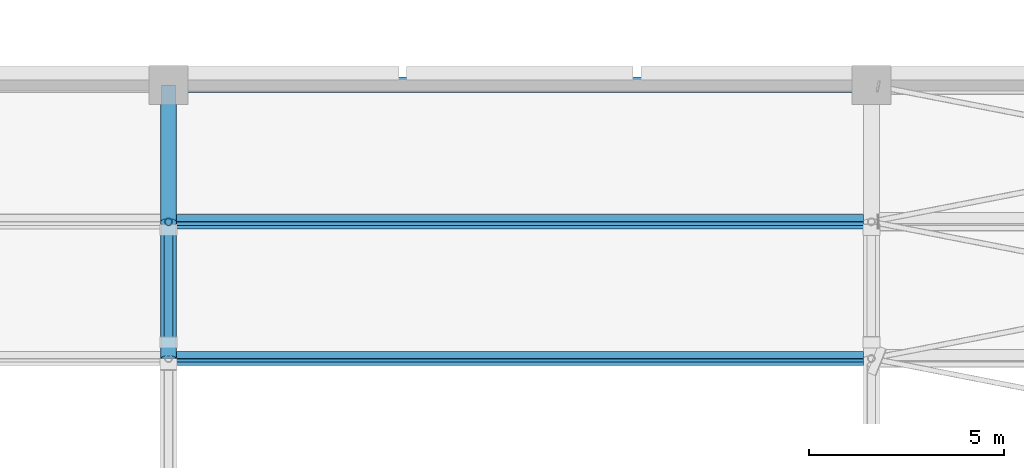
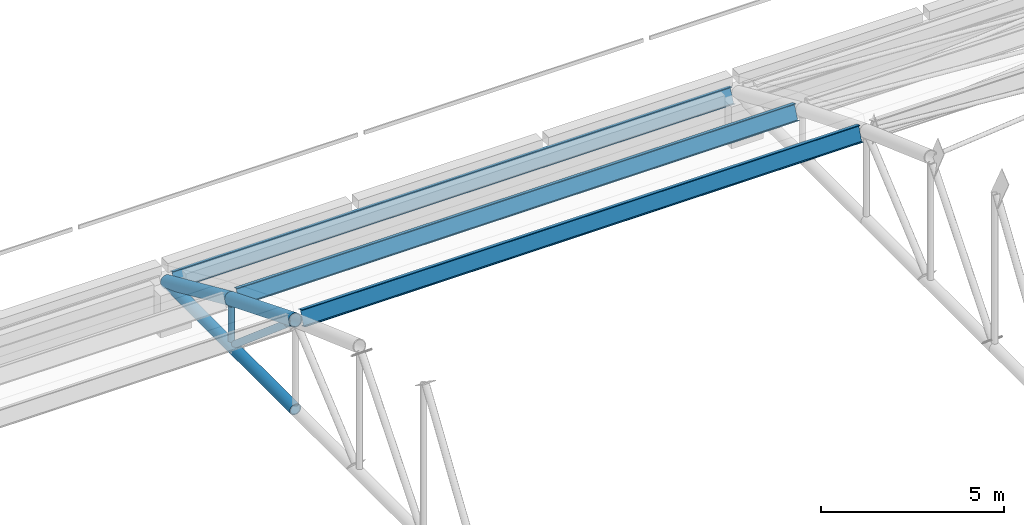
# One storey, part 81 of 196: 8 members.
"""IFC4 building model written with IfcOpenShell, lengths in metres."""

from ifc_helpers import new_model, si_unit, direction, frame, origin, origin_2d, place, context, subcontext, project, spatial, hollow_circle, i_section, extrude, material, material_profile, profile_set, type_object, element, save


model = new_model("IFC4")

# Units and contexts
model_context = context("Model", 3, precision=1e-05, world=origin(), true_north=direction((0.0, 1.0)))
body_context = subcontext(model_context, "Body", "Model", "MODEL_VIEW")
ifc_project = project(units=[si_unit("LENGTHUNIT", "METRE"), si_unit("AREAUNIT", "SQUARE_METRE"), si_unit("VOLUMEUNIT", "CUBIC_METRE"), si_unit("PLANEANGLEUNIT", "RADIAN"), si_unit("MASSUNIT", "GRAM", prefix="KILO")], contexts=[model_context])

# Site, building, storey
site_placement = place(None, origin())
site = spatial("IfcSite", under=ifc_project, at=site_placement, CompositionType="ELEMENT")
building_placement = place(site_placement, origin())
building = spatial("IfcBuilding", under=site, at=building_placement, Name="Okhra Congress Centre", CompositionType="ELEMENT")
storey_placement = place(building_placement, frame((0.0, 0.0, 12.0)))
storey = spatial("IfcBuildingStorey", under=building, at=storey_placement, Name="L02", CompositionType="ELEMENT", Elevation=12.0)

# Members
ifc_material_1 = material(Name="Steel S355J2H", Category="steel")
ifc_material_profile_1 = material_profile(ifc_material_1, hollow_circle(Radius=0.096923828125, WallThickness=0.012451171875, at=origin_2d()), Name="CHS 193.7x12.5")
ifc_profile_set_1 = profile_set([ifc_material_profile_1], Name="Steel S355J2H")
member_type_1 = type_object("IfcMemberType", Name="CHS 193.7x12.5", PredefinedType="POST", material=ifc_profile_set_1)
member_1_placement = place(storey_placement, frame((118.0, 212.5, 1.577880859375), z_axis=(0.0, 0.0, 1.0), x_axis=(1.0, 0.0, 0.0)))
element("IfcMember", 1, at=member_1_placement, inside=storey, type_object=member_type_1, Name="EH.MEM.L02.T6-VER-23", PredefinedType="POST", context=body_context, shape_type="SweptSolid", body=[
    extrude(hollow_circle(Radius=0.096923828125, WallThickness=0.012451171875, at=origin_2d()), origin(), (0.0, 0.0, 1.0), 1.168212890625),
])
ifc_material_profile_2 = material_profile(ifc_material_1, hollow_circle(Radius=0.109619140625, WallThickness=0.012451171875, at=origin_2d()), Name="CHS 219.1x12.5")
ifc_profile_set_2 = profile_set([ifc_material_profile_2], Name="Steel S355J2H")
member_type_2 = type_object("IfcMemberType", Name="CHS 219.1x12.5", PredefinedType="BRACE", material=ifc_profile_set_2)
member_2_placement = place(storey_placement, frame((118.0, 209.42578125, 4.01220703125), z_axis=(0.0, 0.76205947483, -0.647507032257), x_axis=(-1.0, 0.0, 0.0)))
element("IfcMember", 2, at=member_2_placement, inside=storey, type_object=member_type_2, Name="EH.MEM.L02.T6-DIA-22", PredefinedType="BRACE", context=body_context, shape_type="SweptSolid", body=[
    extrude(hollow_circle(Radius=0.109619140625, WallThickness=0.012451171875, at=origin_2d()), origin(), (0.0, 0.0, 1.0), 3.759521484375),
])
ifc_material_profile_3 = material_profile(ifc_material_1, hollow_circle(Radius=0.177734375, WallThickness=0.02490234375, at=origin_2d()), Name="CHS 355.6x25.0")
ifc_profile_set_3 = profile_set([ifc_material_profile_3], Name="Steel S355J2H")
member_type_3 = type_object("IfcMemberType", Name="CHS 355.6x25.0", PredefinedType="CHORD", material=ifc_profile_set_3)
member_3_placement = place(storey_placement, frame((118.0, 209.0, 1.39990234375), z_axis=(0.0, 1.0, 0.0), x_axis=(-1.0, 0.0, 0.0)))
element("IfcMember", 3, at=member_3_placement, inside=storey, type_object=member_type_3, Name="EH.MEM.L02.T6-BOT-12", PredefinedType="CHORD", context=body_context, shape_type="SweptSolid", body=[
    extrude(hollow_circle(Radius=0.177734375, WallThickness=0.02490234375, at=origin_2d()), origin(), (0.0, 0.0, 1.0), 7.0),
])
ifc_material_profile_4 = material_profile(ifc_material_1, hollow_circle(Radius=0.203125, WallThickness=0.02490234375, at=origin_2d()), Name="CHS 406.4x25.0")
ifc_profile_set_4 = profile_set([ifc_material_profile_4], Name="Steel S355J2H")
member_type_4 = type_object("IfcMemberType", Name="CHS 406.4x25.0", PredefinedType="CHORD", material=ifc_profile_set_4)
member_4_placement = place(storey_placement, frame((118.0, 209.0, 4.3740234375), z_axis=(0.0, 0.927814639871, -0.373041544658), x_axis=(-1.0, 0.0, 0.0)))
element("IfcMember", 4, at=member_4_placement, inside=storey, type_object=member_type_4, Name="EH.MEM.L02.T6-TOP-23", PredefinedType="CHORD", context=body_context, shape_type="SweptSolid", body=[
    extrude(hollow_circle(Radius=0.203125, WallThickness=0.02490234375, at=origin_2d()), origin(), (0.0, 0.0, 1.0), 3.772216796875),
])
member_5_placement = place(storey_placement, frame((118.0, 212.5, 2.966796875), z_axis=(0.0, 0.912710800597, -0.408606160591), x_axis=(-1.0, 0.0, 0.0)))
element("IfcMember", 5, at=member_5_placement, inside=storey, type_object=member_type_4, Name="EH.MEM.L02.T6-TOP-24", PredefinedType="CHORD", context=body_context, shape_type="SweptSolid", body=[
    extrude(hollow_circle(Radius=0.203125, WallThickness=0.02490234375, at=origin_2d()), origin(), (0.0, 0.0, 1.0), 3.834716796875),
])
ifc_material_2 = material(Name="Steel S355J2", Category="steel")
ifc_material_profile_5 = material_profile(ifc_material_2, i_section(OverallWidth=0.199951171875, OverallDepth=0.5, WebThickness=0.01025390625, FlangeThickness=0.01611328125, at=origin_2d()), Name="IPE 500")
ifc_profile_set_5 = profile_set([ifc_material_profile_5], Name="Steel S355J2")
member_type_5 = type_object("IfcMemberType", Name="IPE 500", PredefinedType="PURLIN", material=ifc_profile_set_5)
for number, where, z_axis, x_axis, name in (
    (6, (118.203125, 209.0, 4.3740234375), (1.0, 0.0, 0.0), (0.0, 0.934732963292, -0.355350935465), "EH.MEM.L02.PU6-23"),
    (7, (118.203125, 212.5, 2.966796875), (1.0, 0.0, 0.0), (0.0, 0.920437204489, -0.390890461118), "EH.MEM.L02.PU6-24"),
    (8, (118.203125, 216.0, 1.39990234375), (1.0, 0.0, 0.0), (0.0, 0.912721046606, -0.40858327313), "EH.MEM.L02.PU6-25"),
):
    element("IfcMember", number, at=place(storey_placement, frame(where, z_axis=z_axis, x_axis=x_axis)), inside=storey, type_object=member_type_5, Name=name, PredefinedType="PURLIN", context=body_context, shape_type="SweptSolid", body=[
        extrude(i_section(OverallWidth=0.199951171875, OverallDepth=0.5, WebThickness=0.01025390625, FlangeThickness=0.01611328125, at=origin_2d()), origin(), (0.0, 0.0, 1.0), 17.59375),
    ])

save(model, "model.ifc")
